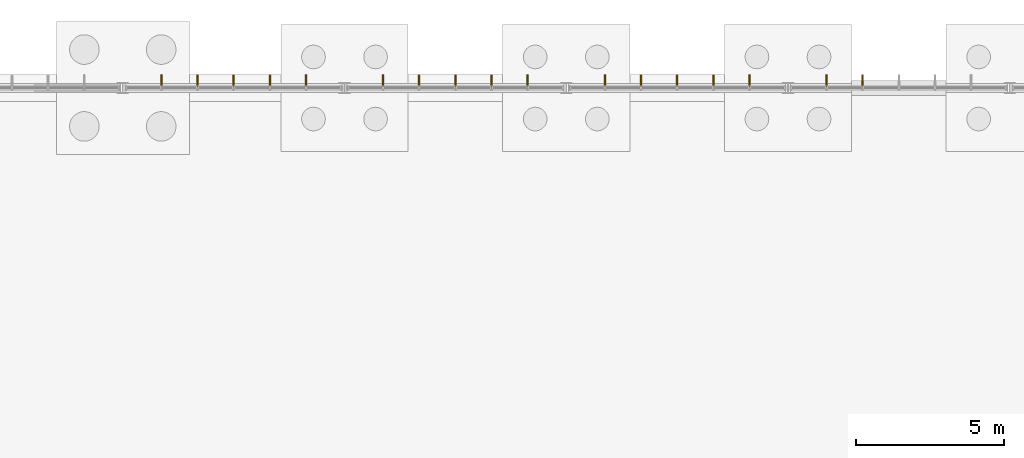
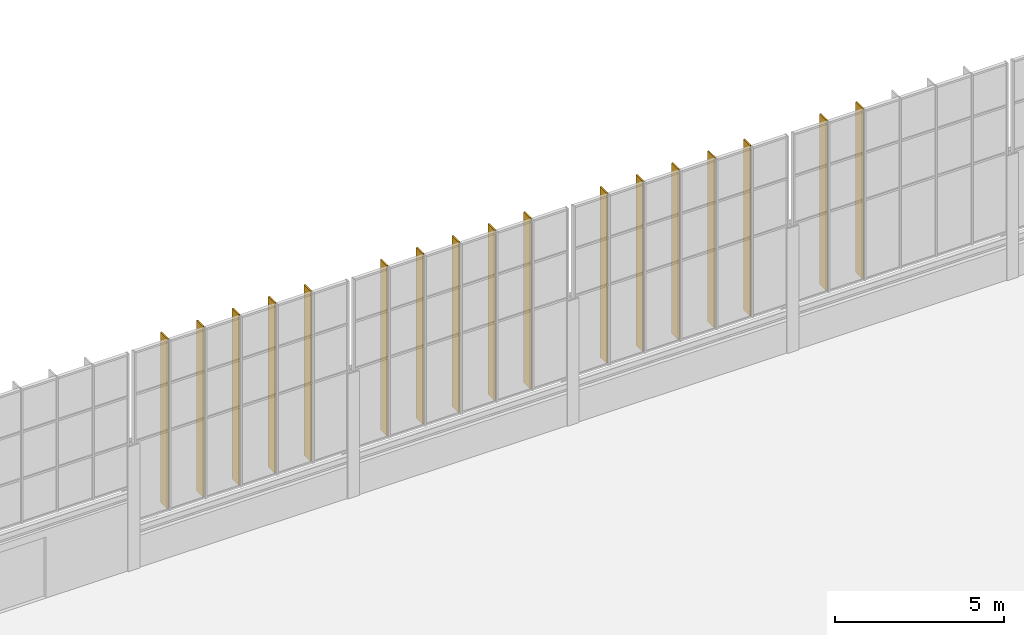
# One storey, part 127 of 136: 17 coverings.
"""IFC4 building model written with IfcOpenShell, lengths in metres."""

from ifc_helpers import new_model, si_unit, direction, frame, origin, origin_2d, place, context, subcontext, project, spatial, rectangle, extrude, material, layer, layer_set, type_object, element, save


model = new_model("IFC4")

# Units and contexts
model_context = context("Model", 3, precision=1e-05, world=origin(), true_north=direction((0.0, 1.0)))
body_context = subcontext(model_context, "Body", "Model", "MODEL_VIEW")
ifc_project = project(units=[si_unit("LENGTHUNIT", "METRE"), si_unit("AREAUNIT", "SQUARE_METRE"), si_unit("VOLUMEUNIT", "CUBIC_METRE"), si_unit("PLANEANGLEUNIT", "RADIAN"), si_unit("MASSUNIT", "GRAM", prefix="KILO")], contexts=[model_context])

# Site, building, storey
site_placement = place(None, origin())
site = spatial("IfcSite", under=ifc_project, at=site_placement, CompositionType="ELEMENT")
building_placement = place(site_placement, origin())
building = spatial("IfcBuilding", under=site, at=building_placement, Name="Solvenia Promenade Tram Depot", CompositionType="ELEMENT")
storey_placement = place(building_placement, origin())
storey = spatial("IfcBuildingStorey", under=building, at=storey_placement, Name="L00", CompositionType="ELEMENT", Elevation=0.0)

# Coverings
ifc_material = material(Name="Anodized aluminium AW-6063 T6", Category="aluminium")
ifc_layer = layer(ifc_material, 0.050048828125, Name="Anodized aluminium AW-6063 T6", Category="aluminium")
ifc_layer_set = layer_set([ifc_layer], Name="Anodized aluminium AW-6063 T6")
covering_type = type_object("IfcCoveringType", Name="Fin-Shade-380", PredefinedType="CLADDING", material=ifc_layer_set)
for number, where, z_axis, x_axis, name in (
    (1, (38.80322265625, 126.2548828125, 1.60009765625), (0.0, 0.0, 1.0), (1.0, 0.0, 0.0), "Channel-Glass Vertical Shading Rib 026"),
    (2, (40.026611328125, 126.2548828125, 1.60009765625), (0.0, 0.0, 1.0), (1.0, 0.0, 0.0), "Channel-Glass Vertical Shading Rib 027"),
    (3, (41.25, 126.2548828125, 1.60009765625), (0.0, 0.0, 1.0), (1.0, 0.0, 0.0), "Channel-Glass Vertical Shading Rib 028"),
    (4, (42.473388671875, 126.2548828125, 1.60009765625), (0.0, 0.0, 1.0), (1.0, 0.0, 0.0), "Channel-Glass Vertical Shading Rib 029"),
    (5, (43.69677734375, 126.2548828125, 1.60009765625), (0.0, 0.0, 1.0), (1.0, 0.0, 0.0), "Channel-Glass Vertical Shading Rib 030"),
    (6, (46.30322265625, 126.2548828125, 1.60009765625), (0.0, 0.0, 1.0), (1.0, 0.0, 0.0), "Channel-Glass Vertical Shading Rib 031"),
    (7, (47.526611328125, 126.2548828125, 1.60009765625), (0.0, 0.0, 1.0), (1.0, 0.0, 0.0), "Channel-Glass Vertical Shading Rib 032"),
    (8, (48.75, 126.2548828125, 1.60009765625), (0.0, 0.0, 1.0), (1.0, 0.0, 0.0), "Channel-Glass Vertical Shading Rib 033"),
    (9, (49.973388671875, 126.2548828125, 1.60009765625), (0.0, 0.0, 1.0), (1.0, 0.0, 0.0), "Channel-Glass Vertical Shading Rib 034"),
    (10, (51.19677734375, 126.2548828125, 1.60009765625), (0.0, 0.0, 1.0), (1.0, 0.0, 0.0), "Channel-Glass Vertical Shading Rib 035"),
    (11, (53.80322265625, 126.2548828125, 1.60009765625), (0.0, 0.0, 1.0), (1.0, 0.0, 0.0), "Channel-Glass Vertical Shading Rib 036"),
    (12, (55.026611328125, 126.2548828125, 1.60009765625), (0.0, 0.0, 1.0), (1.0, 0.0, 0.0), "Channel-Glass Vertical Shading Rib 037"),
    (13, (56.25, 126.2548828125, 1.60009765625), (0.0, 0.0, 1.0), (1.0, 0.0, 0.0), "Channel-Glass Vertical Shading Rib 038"),
    (14, (57.473388671875, 126.2548828125, 1.60009765625), (0.0, 0.0, 1.0), (1.0, 0.0, 0.0), "Channel-Glass Vertical Shading Rib 039"),
    (15, (58.69677734375, 126.2548828125, 1.60009765625), (0.0, 0.0, 1.0), (1.0, 0.0, 0.0), "Channel-Glass Vertical Shading Rib 040"),
    (16, (61.30322265625, 126.2548828125, 1.60009765625), (0.0, 0.0, 1.0), (1.0, 0.0, 0.0), "Channel-Glass Vertical Shading Rib 041"),
    (17, (62.526611328125, 126.2548828125, 1.60009765625), (0.0, 0.0, 1.0), (1.0, 0.0, 0.0), "Channel-Glass Vertical Shading Rib 042"),
):
    element("IfcCovering", number, at=place(storey_placement, frame(where, z_axis=z_axis, x_axis=x_axis)), inside=storey, type_object=covering_type, Name=name, PredefinedType="CLADDING", context=body_context, shape_type="SweptSolid", body=[
        extrude(rectangle(XDim=0.050048828125, YDim=0.3798828125, at=origin_2d()), origin(), (0.0, 0.0, 1.0), 6.14990234375),
    ])

save(model, "model.ifc")
